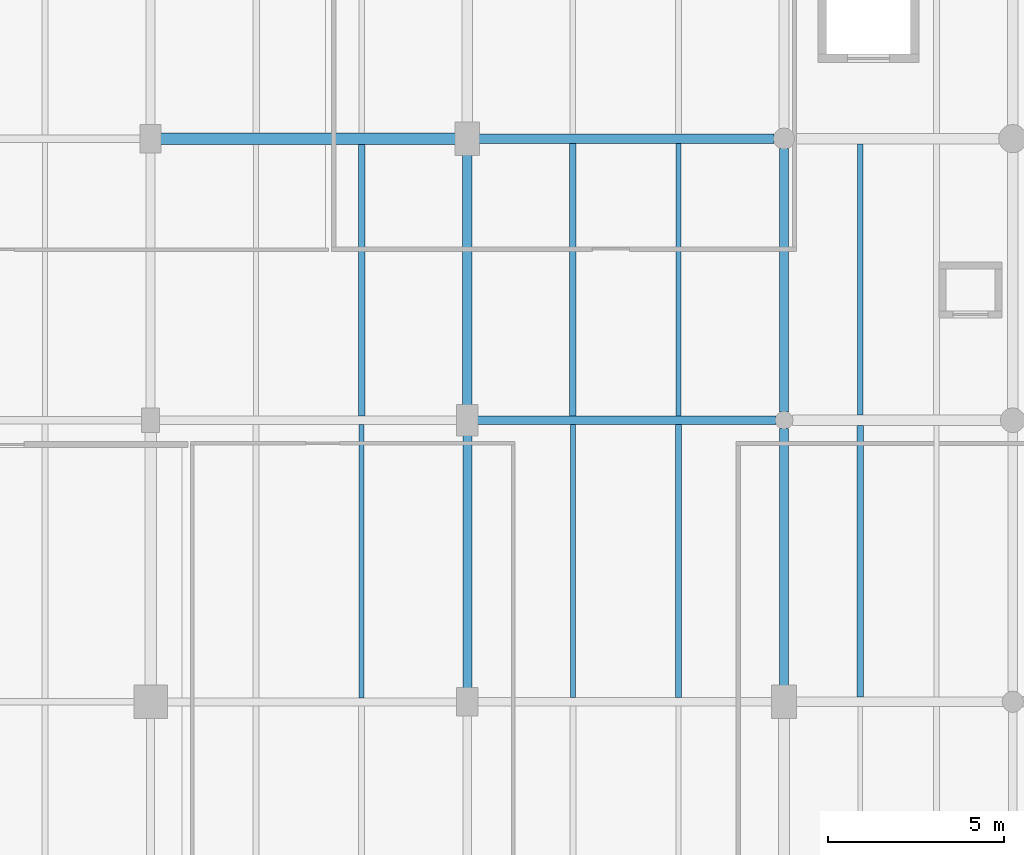
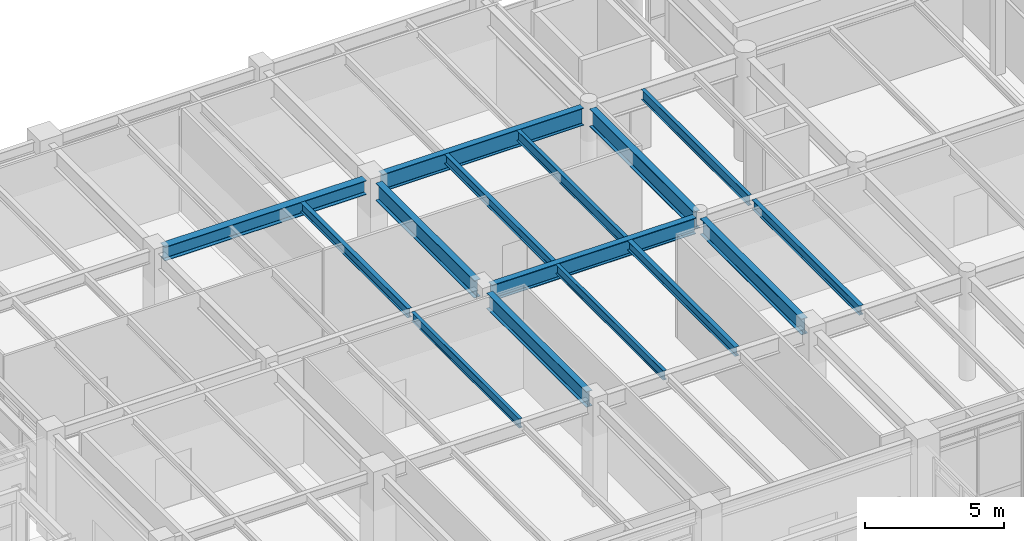
# One storey, part 101 of 200: 15 beams.
"""IFC4 building model written with IfcOpenShell, lengths in metres."""

from ifc_helpers import new_model, si_unit, direction, frame, origin, origin_2d, place, context, subcontext, project, spatial, i_section, extrude, material, material_profile, profile_set, type_object, element, save


model = new_model("IFC4")

# Units and contexts
model_context = context("Model", 3, precision=1e-05, world=origin(), true_north=direction((0.0, 1.0)))
body_context = subcontext(model_context, "Body", "Model", "MODEL_VIEW")
ifc_project = project(units=[si_unit("LENGTHUNIT", "METRE"), si_unit("AREAUNIT", "SQUARE_METRE"), si_unit("VOLUMEUNIT", "CUBIC_METRE"), si_unit("PLANEANGLEUNIT", "RADIAN"), si_unit("MASSUNIT", "GRAM", prefix="KILO"), si_unit("THERMODYNAMICTEMPERATUREUNIT", "KELVIN"), si_unit("POWERUNIT", "WATT")], contexts=[model_context])

# Site, building, storey
site_placement = place(None, origin())
site = spatial("IfcSite", under=ifc_project, at=site_placement, CompositionType="ELEMENT")
building_placement = place(site_placement, origin())
building = spatial("IfcBuilding", under=site, at=building_placement, Name="Tepalcoro Natatorium and Aquatics Centre", CompositionType="ELEMENT")
storey_placement = place(building_placement, frame((0.0, 0.0, 5.39990234375)))
storey = spatial("IfcBuildingStorey", under=building, at=storey_placement, Name="L01", CompositionType="ELEMENT", Elevation=5.39990234375)

# Beams
ifc_material = material(Name="Steel ASTM A992 Grade 50 (Fy 345 MPa)", Category="steel")
ifc_material_profile_1 = material_profile(ifc_material, i_section(OverallWidth=0.324951171875, OverallDepth=0.616943359375, WebThickness=0.013916015625, FlangeThickness=0.02197265625, FilletRadius=0.013916015625, at=origin_2d()), Name="W24X117")
ifc_profile_set_1 = profile_set([ifc_material_profile_1], Name="Steel ASTM A992 Grade 50 (Fy 345 MPa)")
beam_type_1 = type_object("IfcBeamType", Name="BM_W24x117", PredefinedType="BEAM", material=ifc_profile_set_1)
beam_1_placement = place(storey_placement, frame((107.284912109375, 110.0, 4.236572265625), z_axis=(1.0, 0.0, 0.0), x_axis=(0.0, 1.0, 0.0)))
element("IfcBeam", 1, at=beam_1_placement, inside=storey, type_object=beam_type_1, Name="V5 L01 Grid Girder X", PredefinedType="BEAM", context=body_context, shape_type="SweptSolid", body=[
    extrude(i_section(OverallWidth=0.324951171875, OverallDepth=0.616943359375, WebThickness=0.013916015625, FlangeThickness=0.02197265625, FilletRadius=0.013916015625, at=origin_2d()), origin(), (0.0, 0.0, 1.0), 8.380126953125),
])
ifc_material_profile_2 = material_profile(ifc_material, i_section(OverallWidth=0.25390625, OverallDepth=0.68798828125, WebThickness=0.012939453125, FlangeThickness=0.02099609375, FilletRadius=0.013916015625, at=origin_2d()), Name="W27X102")
ifc_profile_set_2 = profile_set([ifc_material_profile_2], Name="Steel ASTM A992 Grade 50 (Fy 345 MPa)")
beam_type_2 = type_object("IfcBeamType", Name="BM_W27x102", PredefinedType="BEAM", material=ifc_profile_set_2)
beam_2_placement = place(storey_placement, frame((116.0, 94.385009765625, 4.201171875), z_axis=(0.0, 1.0, 0.0), x_axis=(-1.0, 0.0, 0.0)))
element("IfcBeam", 2, at=beam_2_placement, inside=storey, type_object=beam_type_2, Name="V5 L01 Grid Girder Y", PredefinedType="BEAM", context=body_context, shape_type="SweptSolid", body=[
    extrude(i_section(OverallWidth=0.25390625, OverallDepth=0.68798828125, WebThickness=0.012939453125, FlangeThickness=0.02099609375, FilletRadius=0.013916015625, at=origin_2d()), origin(), (0.0, 0.0, 1.0), 7.179931640625),
])
ifc_material_profile_3 = material_profile(ifc_material, i_section(OverallWidth=0.25390625, OverallDepth=0.700927734375, WebThickness=0.014892578125, FlangeThickness=0.028076171875, FilletRadius=0.013916015625, at=origin_2d()), Name="W27X129")
ifc_profile_set_3 = profile_set([ifc_material_profile_3], Name="Steel ASTM A992 Grade 50 (Fy 345 MPa)")
beam_type_3 = type_object("IfcBeamType", Name="BM_W27x129", PredefinedType="BEAM", material=ifc_profile_set_3)
beam_3_placement = place(storey_placement, frame((116.284912109375, 102.0, 4.194580078125), z_axis=(1.0, 0.0, 0.0), x_axis=(0.0, 1.0, 0.0)))
element("IfcBeam", 3, at=beam_3_placement, inside=storey, type_object=beam_type_3, Name="V5 L01 Grid Girder X", PredefinedType="BEAM", context=body_context, shape_type="SweptSolid", body=[
    extrude(i_section(OverallWidth=0.25390625, OverallDepth=0.700927734375, WebThickness=0.014892578125, FlangeThickness=0.028076171875, FilletRadius=0.013916015625, at=origin_2d()), origin(), (0.0, 0.0, 1.0), 8.47998046875),
])
beam_4_placement = place(storey_placement, frame((125.0, 94.4599609375, 4.194580078125), z_axis=(0.0, 1.0, 0.0), x_axis=(-1.0, 0.0, 0.0)))
element("IfcBeam", 4, at=beam_4_placement, inside=storey, type_object=beam_type_3, Name="V5 L01 Grid Girder Y", PredefinedType="BEAM", context=body_context, shape_type="SweptSolid", body=[
    extrude(i_section(OverallWidth=0.25390625, OverallDepth=0.700927734375, WebThickness=0.014892578125, FlangeThickness=0.028076171875, FilletRadius=0.013916015625, at=origin_2d()), origin(), (0.0, 0.0, 1.0), 7.304931640625),
])
ifc_material_profile_4 = material_profile(ifc_material, i_section(OverallWidth=0.26708984375, OverallDepth=0.761962890625, WebThickness=0.013916015625, FlangeThickness=0.02197265625, FilletRadius=0.013916015625, at=origin_2d()), Name="W30X116")
ifc_profile_set_4 = profile_set([ifc_material_profile_4], Name="Steel ASTM A992 Grade 50 (Fy 345 MPa)")
beam_type_4 = type_object("IfcBeamType", Name="BM_W30x116", PredefinedType="BEAM", material=ifc_profile_set_4)
beam_5_placement = place(storey_placement, frame((116.3349609375, 110.0, 4.1640625), z_axis=(1.0, 0.0, 0.0), x_axis=(0.0, 1.0, 0.0)))
element("IfcBeam", 5, at=beam_5_placement, inside=storey, type_object=beam_type_4, Name="V5 L01 Grid Girder X", PredefinedType="BEAM", context=body_context, shape_type="SweptSolid", body=[
    extrude(i_section(OverallWidth=0.26708984375, OverallDepth=0.761962890625, WebThickness=0.013916015625, FlangeThickness=0.02197265625, FilletRadius=0.013916015625, at=origin_2d()), origin(), (0.0, 0.0, 1.0), 8.380126953125),
])
beam_6_placement = place(storey_placement, frame((116.0, 102.43505859375, 4.1640625), z_axis=(0.0, 1.0, 0.0), x_axis=(-1.0, 0.0, 0.0)))
element("IfcBeam", 6, at=beam_6_placement, inside=storey, type_object=beam_type_4, Name="V5 L01 Grid Girder Y", PredefinedType="BEAM", context=body_context, shape_type="SweptSolid", body=[
    extrude(i_section(OverallWidth=0.26708984375, OverallDepth=0.761962890625, WebThickness=0.013916015625, FlangeThickness=0.02197265625, FilletRadius=0.013916015625, at=origin_2d()), origin(), (0.0, 0.0, 1.0), 7.10498046875),
])
ifc_material_profile_5 = material_profile(ifc_material, i_section(OverallWidth=0.26708984375, OverallDepth=0.780029296875, WebThickness=0.01708984375, FlangeThickness=0.030029296875, FilletRadius=0.013916015625, at=origin_2d()), Name="W30X148")
ifc_profile_set_5 = profile_set([ifc_material_profile_5], Name="Steel ASTM A992 Grade 50 (Fy 345 MPa)")
beam_type_5 = type_object("IfcBeamType", Name="BM_W30x148", PredefinedType="BEAM", material=ifc_profile_set_5)
beam_7_placement = place(storey_placement, frame((125.0, 102.235107421875, 4.155029296875), z_axis=(0.0, 1.0, 0.0), x_axis=(-1.0, 0.0, 0.0)))
element("IfcBeam", 7, at=beam_7_placement, inside=storey, type_object=beam_type_5, Name="V5 L01 Grid Girder Y", PredefinedType="BEAM", context=body_context, shape_type="SweptSolid", body=[
    extrude(i_section(OverallWidth=0.26708984375, OverallDepth=0.780029296875, WebThickness=0.01708984375, FlangeThickness=0.030029296875, FilletRadius=0.013916015625, at=origin_2d()), origin(), (0.0, 0.0, 1.0), 7.47998046875),
])
ifc_material_profile_6 = material_profile(ifc_material, i_section(OverallWidth=0.139892578125, OverallDepth=0.404052734375, WebThickness=0.007080078125, FlangeThickness=0.010986328125, FilletRadius=0.013916015625, at=origin_2d()), Name="W16X31")
ifc_profile_set_6 = profile_set([ifc_material_profile_6], Name="Steel ASTM A992 Grade 50 (Fy 345 MPa)")
beam_type_6 = type_object("IfcBeamType", Name="JS_W16x31", PredefinedType="JOIST", material=ifc_profile_set_6)
beam_8_placement = place(storey_placement, frame((113.0, 94.114013671875, 4.343017578125), z_axis=(0.0, 1.0, 0.0), x_axis=(-1.0, 0.0, 0.0)))
element("IfcBeam", 8, at=beam_8_placement, inside=storey, type_object=beam_type_6, Name="V5 L01 Floor Joist", PredefinedType="JOIST", context=body_context, shape_type="SweptSolid", body=[
    extrude(i_section(OverallWidth=0.139892578125, OverallDepth=0.404052734375, WebThickness=0.007080078125, FlangeThickness=0.010986328125, FilletRadius=0.013916015625, at=origin_2d()), origin(), (0.0, 0.0, 1.0), 7.77099609375),
])
beam_9_placement = place(storey_placement, frame((119.0, 94.126953125, 4.343017578125), z_axis=(0.0, 1.0, 0.0), x_axis=(-1.0, 0.0, 0.0)))
element("IfcBeam", 9, at=beam_9_placement, inside=storey, type_object=beam_type_6, Name="V5 L01 Floor Joist", PredefinedType="JOIST", context=body_context, shape_type="SweptSolid", body=[
    extrude(i_section(OverallWidth=0.139892578125, OverallDepth=0.404052734375, WebThickness=0.007080078125, FlangeThickness=0.010986328125, FilletRadius=0.013916015625, at=origin_2d()), origin(), (0.0, 0.0, 1.0), 7.74609375),
])
ifc_material_profile_7 = material_profile(ifc_material, i_section(OverallWidth=0.178955078125, OverallDepth=0.409912109375, WebThickness=0.009033203125, FlangeThickness=0.013916015625, FilletRadius=0.013916015625, at=origin_2d()), Name="W16X45")
ifc_profile_set_7 = profile_set([ifc_material_profile_7], Name="Steel ASTM A992 Grade 50 (Fy 345 MPa)")
beam_type_7 = type_object("IfcBeamType", Name="JS_W16x45", PredefinedType="JOIST", material=ifc_profile_set_7)
beam_10_placement = place(storey_placement, frame((113.0, 102.114990234375, 4.340087890625), z_axis=(0.0, 1.0, 0.0), x_axis=(-1.0, 0.0, 0.0)))
element("IfcBeam", 10, at=beam_10_placement, inside=storey, type_object=beam_type_7, Name="V5 L01 Floor Joist", PredefinedType="JOIST", context=body_context, shape_type="SweptSolid", body=[
    extrude(i_section(OverallWidth=0.178955078125, OverallDepth=0.409912109375, WebThickness=0.009033203125, FlangeThickness=0.013916015625, FilletRadius=0.013916015625, at=origin_2d()), origin(), (0.0, 0.0, 1.0), 7.722412109375),
])
beam_11_placement = place(storey_placement, frame((122.0, 94.126953125, 4.340087890625), z_axis=(0.0, 1.0, 0.0), x_axis=(-1.0, 0.0, 0.0)))
element("IfcBeam", 11, at=beam_11_placement, inside=storey, type_object=beam_type_7, Name="V5 L01 Floor Joist", PredefinedType="JOIST", context=body_context, shape_type="SweptSolid", body=[
    extrude(i_section(OverallWidth=0.178955078125, OverallDepth=0.409912109375, WebThickness=0.009033203125, FlangeThickness=0.013916015625, FilletRadius=0.013916015625, at=origin_2d()), origin(), (0.0, 0.0, 1.0), 7.74609375),
])
beam_12_placement = place(storey_placement, frame((119.0, 102.126953125, 4.340087890625), z_axis=(0.0, 1.0, 0.0), x_axis=(-1.0, 0.0, 0.0)))
element("IfcBeam", 12, at=beam_12_placement, inside=storey, type_object=beam_type_7, Name="V5 L01 Floor Joist", PredefinedType="JOIST", context=body_context, shape_type="SweptSolid", body=[
    extrude(i_section(OverallWidth=0.178955078125, OverallDepth=0.409912109375, WebThickness=0.009033203125, FlangeThickness=0.013916015625, FilletRadius=0.013916015625, at=origin_2d()), origin(), (0.0, 0.0, 1.0), 7.739501953125),
])
beam_13_placement = place(storey_placement, frame((127.166748046875, 94.133544921875, 4.340087890625), z_axis=(0.0, 1.0, 0.0), x_axis=(-1.0, 0.0, 0.0)))
element("IfcBeam", 13, at=beam_13_placement, inside=storey, type_object=beam_type_7, Name="V5 L01 Floor Joist", PredefinedType="JOIST", context=body_context, shape_type="SweptSolid", body=[
    extrude(i_section(OverallWidth=0.178955078125, OverallDepth=0.409912109375, WebThickness=0.009033203125, FlangeThickness=0.013916015625, FilletRadius=0.013916015625, at=origin_2d()), origin(), (0.0, 0.0, 1.0), 7.720458984375),
])
ifc_material_profile_8 = material_profile(ifc_material, i_section(OverallWidth=0.153076171875, OverallDepth=0.455078125, WebThickness=0.008056640625, FlangeThickness=0.012939453125, FilletRadius=0.013916015625, at=origin_2d()), Name="W18X40")
ifc_profile_set_8 = profile_set([ifc_material_profile_8], Name="Steel ASTM A992 Grade 50 (Fy 345 MPa)")
beam_type_8 = type_object("IfcBeamType", Name="JS_W18x40", PredefinedType="JOIST", material=ifc_profile_set_8)
beam_14_placement = place(storey_placement, frame((122.0, 102.126953125, 4.317626953125), z_axis=(0.0, 1.0, 0.0), x_axis=(-1.0, 0.0, 0.0)))
element("IfcBeam", 14, at=beam_14_placement, inside=storey, type_object=beam_type_8, Name="V5 L01 Floor Joist", PredefinedType="JOIST", context=body_context, shape_type="SweptSolid", body=[
    extrude(i_section(OverallWidth=0.153076171875, OverallDepth=0.455078125, WebThickness=0.008056640625, FlangeThickness=0.012939453125, FilletRadius=0.013916015625, at=origin_2d()), origin(), (0.0, 0.0, 1.0), 7.739501953125),
])
beam_15_placement = place(storey_placement, frame((127.166748046875, 102.14599609375, 4.317626953125), z_axis=(0.0, 1.0, 0.0), x_axis=(-1.0, 0.0, 0.0)))
element("IfcBeam", 15, at=beam_15_placement, inside=storey, type_object=beam_type_8, Name="V5 L01 Floor Joist", PredefinedType="JOIST", context=body_context, shape_type="SweptSolid", body=[
    extrude(i_section(OverallWidth=0.153076171875, OverallDepth=0.455078125, WebThickness=0.008056640625, FlangeThickness=0.012939453125, FilletRadius=0.013916015625, at=origin_2d()), origin(), (0.0, 0.0, 1.0), 7.7080078125),
])

save(model, "model.ifc")
